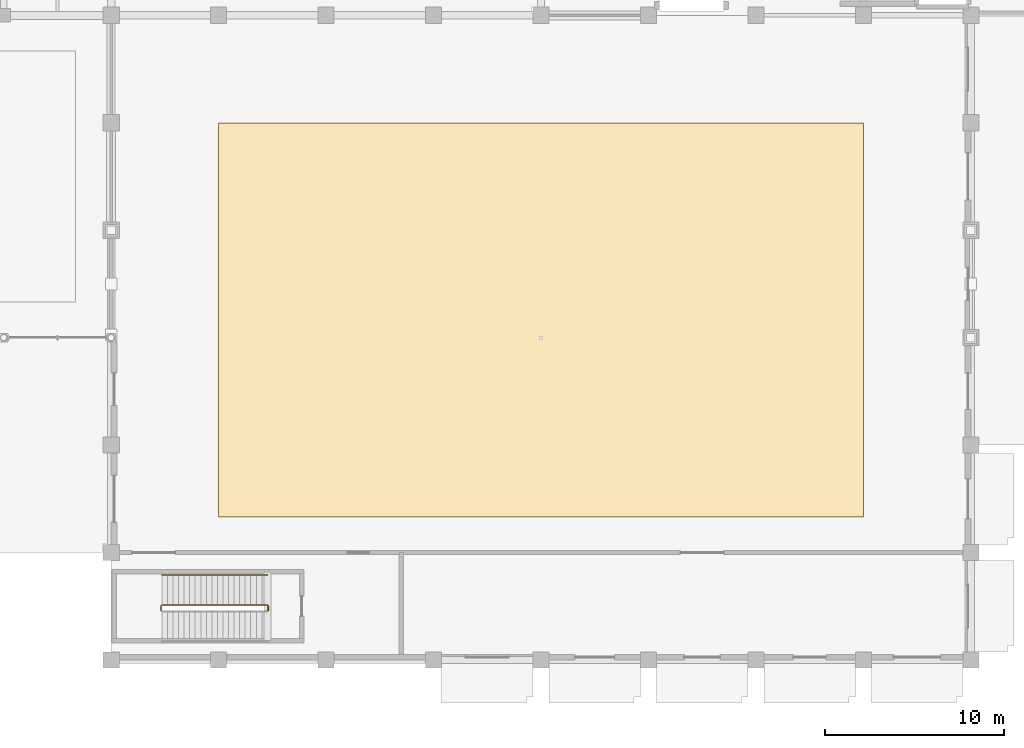
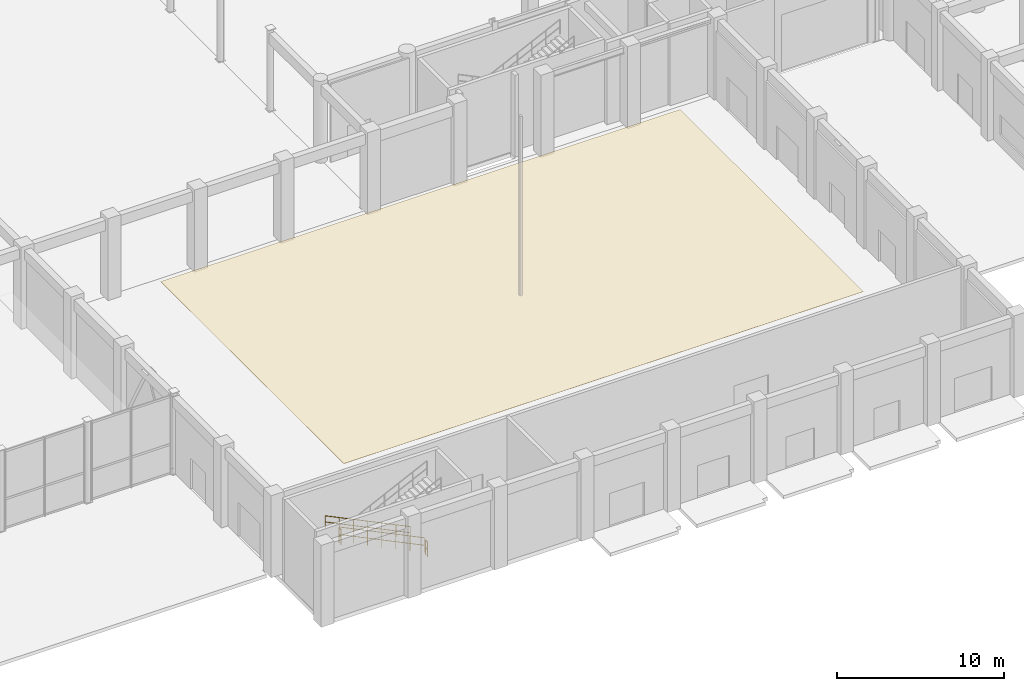
# One storey, part 100 of 106: 4 railings, 1 covering.
"""IFC4 building model written with IfcOpenShell, lengths in metres."""

from ifc_helpers import new_model, si_unit, direction, frame, origin, origin_2d, place, context, subcontext, project, spatial, polyline, circle, outline, extrude, material, layer, layer_set, type_object, element, save


model = new_model("IFC4")

# Units and contexts
model_context = context("Model", 3, precision=1e-05, world=origin(), true_north=direction((0.0, 1.0)))
body_context = subcontext(model_context, "Body", "Model", "MODEL_VIEW")
ifc_project = project(units=[si_unit("LENGTHUNIT", "METRE"), si_unit("AREAUNIT", "SQUARE_METRE"), si_unit("VOLUMEUNIT", "CUBIC_METRE"), si_unit("PLANEANGLEUNIT", "RADIAN"), si_unit("MASSUNIT", "GRAM", prefix="KILO"), si_unit("THERMODYNAMICTEMPERATUREUNIT", "KELVIN"), si_unit("POWERUNIT", "WATT")], contexts=[model_context])

# Site, building, storey
site_placement = place(None, origin())
site = spatial("IfcSite", under=ifc_project, at=site_placement, CompositionType="ELEMENT")
building_placement = place(site_placement, origin())
building = spatial("IfcBuilding", under=site, at=building_placement, Name="Phaisarnlok Congress Hotel", CompositionType="ELEMENT")
storey_placement = place(building_placement, origin())
storey = spatial("IfcBuildingStorey", under=building, at=storey_placement, Name="L00", CompositionType="ELEMENT", Elevation=0.0)

# Covering
ifc_material_1 = material(Name="Perforated Timber & Mineral-Fibre Acoustic Ceiling", Category="wood")
ifc_layer = layer(ifc_material_1, 0.01806640625, Name="Perforated Timber & Mineral-Fibre Acoustic Ceiling")
ifc_layer_set = layer_set([ifc_layer], Name="Perforated Timber & Mineral-Fibre Acoustic Ceiling")
covering_type = type_object("IfcCoveringType", Name="CLG-AC-18", PredefinedType="CEILING", material=ifc_layer_set)
covering_placement = place(storey_placement, frame((0.0, 0.0, 4.60009765625)))
element("IfcCovering", 1, at=covering_placement, inside=storey, type_object=covering_type, Name="Suspended ceiling CLG-01 (L00)", PredefinedType="CEILING", context=body_context, shape_type="SweptSolid", body=[
    extrude(outline(polyline([(138.0, 8.0), (102.0, 8.0), (102.0, 30.0), (138.0, 30.0), (138.0, 8.0)])), origin(), (0.0, 0.0, 1.0), 0.017822265625),
])

# Railings
ifc_material_2 = material(Name="Painted Galvanised Steel S275", Category="steel")
railing_type_1 = type_object("IfcRailingType", Name="RLG-STR-GUARD", PredefinedType="BALUSTRADE", material=ifc_material_2)
railing_1_placement = place(storey_placement, frame((104.719970703125, 3.070068359375, 0.14990234375)))
element("IfcRailing", 2, at=railing_1_placement, inside=storey, type_object=railing_type_1, Name="L00 ST-04 stair guard 1", PredefinedType="BALUSTRADE", context=body_context, shape_type="SweptSolid", body=[
    extrude(circle(Radius=0.02392578125, at=origin_2d()), frame((0.0, 0.0, 1.076171875), z_axis=(-0.900150285036, 0.0, 0.435579458135), x_axis=(0.0, -1.0, 0.0)), (0.0, 0.0, 1.0), 6.543212890625),
    extrude(circle(Radius=0.02392578125, at=origin_2d()), frame((0.0, 0.0, 0.52587890625), z_axis=(-0.900150285036, 0.0, 0.435579458135), x_axis=(0.0, -1.0, 0.0)), (0.0, 0.0, 1.0), 6.543212890625),
    extrude(circle(Radius=0.02099609375, at=origin_2d()), origin(), (0.0, 0.0, 1.0), 1.052001953125),
    extrude(circle(Radius=0.02099609375, at=origin_2d()), frame((-0.981689453125, 0.0, 0.47509765625)), (0.0, 0.0, 1.0), 1.052001953125),
    extrude(circle(Radius=0.02099609375, at=origin_2d()), frame((-1.96337890625, 0.0, 0.949951171875)), (0.0, 0.0, 1.0), 1.052001953125),
    extrude(circle(Radius=0.02099609375, at=origin_2d()), frame((-2.94482421875, 0.0, 1.425048828125)), (0.0, 0.0, 1.0), 1.052001953125),
    extrude(circle(Radius=0.02099609375, at=origin_2d()), frame((-3.926513671875, 0.0, 1.900146484375)), (0.0, 0.0, 1.0), 1.052001953125),
    extrude(circle(Radius=0.02099609375, at=origin_2d()), frame((-4.908203125, 0.0, 2.375)), (0.0, 0.0, 1.0), 1.052001953125),
    extrude(circle(Radius=0.02099609375, at=origin_2d()), frame((-5.889892578125, 0.0, 2.85009765625)), (0.0, 0.0, 1.0), 1.052001953125),
])
for number, where, name in (
    (3, (98.780029296875, 3.02001953125, 3.0), "L00 ST-04 stair guard 2"),
    (4, (104.77001953125, 3.02001953125, 0.0), "L00 ST-04 stair guard 4"),
):
    element("IfcRailing", number, at=place(storey_placement, frame(where)), inside=storey, type_object=railing_type_1, Name=name, PredefinedType="BALUSTRADE", context=body_context, shape_type="SweptSolid", body=[
        extrude(circle(Radius=0.02392578125, at=origin_2d()), frame((0.0, 0.0, 1.076171875), z_axis=(0.0, -1.0, 0.0), x_axis=(1.0, 0.0, 0.0)), (0.0, 0.0, 1.0), 0.239990234375),
        extrude(circle(Radius=0.02392578125, at=origin_2d()), frame((0.0, 0.0, 0.52587890625), z_axis=(0.0, -1.0, 0.0), x_axis=(1.0, 0.0, 0.0)), (0.0, 0.0, 1.0), 0.239990234375),
        extrude(circle(Radius=0.02099609375, at=origin_2d()), origin(), (0.0, 0.0, 1.0), 1.052001953125),
        extrude(circle(Radius=0.02099609375, at=origin_2d()), frame((0.0, -0.239990234375, 0.0)), (0.0, 0.0, 1.0), 1.052001953125),
    ])
ifc_material_3 = material(Name="Brushed Stainless Steel Grade 304", Category="steel")
railing_type_2 = type_object("IfcRailingType", Name="RLG-STR-HRAIL", PredefinedType="HANDRAIL", material=ifc_material_3)
railing_2_placement = place(storey_placement, frame((104.719970703125, 4.75, 0.14990234375)))
element("IfcRailing", 5, at=railing_2_placement, inside=storey, type_object=railing_type_2, Name="L00 ST-04 stair handrail 1", PredefinedType="HANDRAIL", context=body_context, shape_type="SweptSolid", body=[
    extrude(circle(Radius=0.02392578125, at=origin_2d()), frame((0.0, 0.0, 0.8759765625), z_axis=(-0.900150285036, 0.0, 0.435579458135), x_axis=(0.0, -1.0, 0.0)), (0.0, 0.0, 1.0), 6.543212890625),
    extrude(circle(Radius=0.02392578125, at=origin_2d()), frame((0.0, 0.0, 0.42578125), z_axis=(-0.900150285036, 0.0, 0.435579458135), x_axis=(0.0, -1.0, 0.0)), (0.0, 0.0, 1.0), 6.543212890625),
    extrude(circle(Radius=0.02099609375, at=origin_2d()), origin(), (0.0, 0.0, 1.0), 0.851806640625),
    extrude(circle(Radius=0.02099609375, at=origin_2d()), frame((-0.981689453125, 0.0, 0.47509765625)), (0.0, 0.0, 1.0), 0.851806640625),
    extrude(circle(Radius=0.02099609375, at=origin_2d()), frame((-1.96337890625, 0.0, 0.949951171875)), (0.0, 0.0, 1.0), 0.851806640625),
    extrude(circle(Radius=0.02099609375, at=origin_2d()), frame((-2.94482421875, 0.0, 1.425048828125)), (0.0, 0.0, 1.0), 0.851806640625),
    extrude(circle(Radius=0.02099609375, at=origin_2d()), frame((-3.926513671875, 0.0, 1.900146484375)), (0.0, 0.0, 1.0), 0.851806640625),
    extrude(circle(Radius=0.02099609375, at=origin_2d()), frame((-4.908203125, 0.0, 2.375)), (0.0, 0.0, 1.0), 0.851806640625),
    extrude(circle(Radius=0.02099609375, at=origin_2d()), frame((-5.889892578125, 0.0, 2.85009765625)), (0.0, 0.0, 1.0), 0.851806640625),
])

save(model, "model.ifc")
